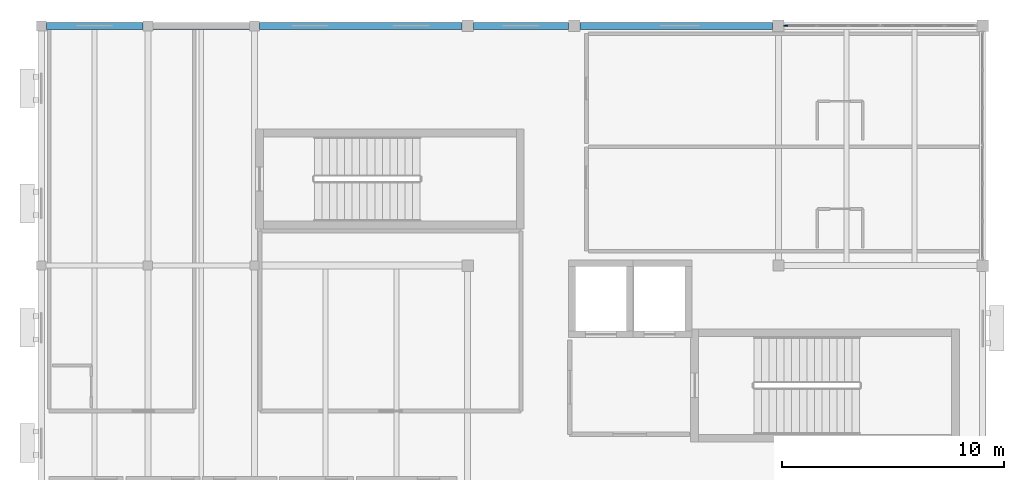
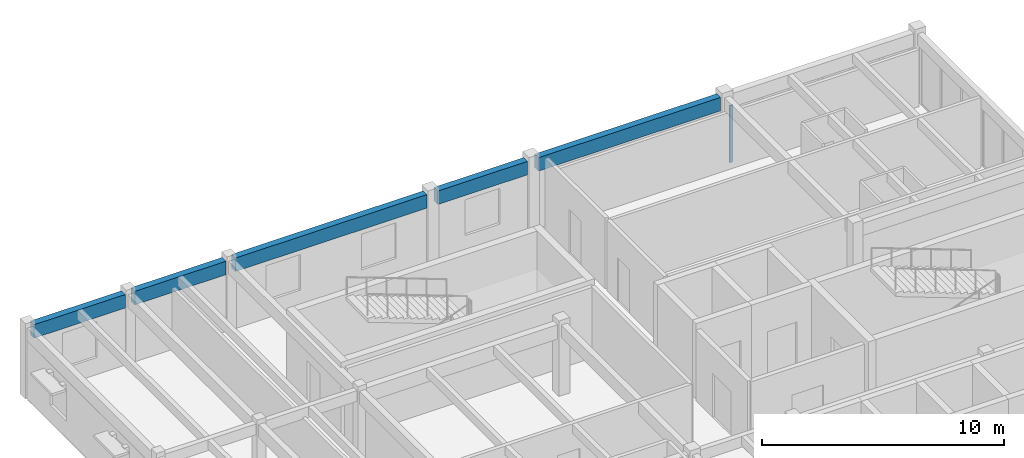
# One storey, part 4 of 20: 5 beams, 1 member, 1 element without a shape of its own.
"""IFC4 building model written with IfcOpenShell, lengths in metres."""

from ifc_helpers import new_model, si_unit, direction, frame, origin, origin_2d, place, context, subcontext, project, spatial, rectangle, extrude, material, material_profile, profile_set, type_object, element, aggregate, save


model = new_model("IFC4")

# Units and contexts
model_context = context("Model", 3, precision=1e-05, world=origin(), true_north=direction((0.0, 1.0)))
body_context = subcontext(model_context, "Body", "Model", "MODEL_VIEW")
ifc_project = project(units=[si_unit("LENGTHUNIT", "METRE"), si_unit("AREAUNIT", "SQUARE_METRE"), si_unit("VOLUMEUNIT", "CUBIC_METRE"), si_unit("PLANEANGLEUNIT", "RADIAN"), si_unit("MASSUNIT", "GRAM", prefix="KILO")], contexts=[model_context])

# Site, building, storey
site_placement = place(None, origin())
site = spatial("IfcSite", under=ifc_project, at=site_placement, CompositionType="ELEMENT")
building_placement = place(site_placement, origin())
building = spatial("IfcBuilding", under=site, at=building_placement, Name="Veldera Park Congress Hotel", CompositionType="ELEMENT")
storey_placement = place(building_placement, frame((0.0, 0.0, 27.60009765625)))
storey = spatial("IfcBuildingStorey", under=building, at=storey_placement, Name="L06", CompositionType="ELEMENT", Elevation=27.60009765625)

# Beams
ifc_material_1 = material(Name="Glulam GL28h (NDS 24F-V4)", Category="wood")
ifc_material_profile_1 = material_profile(ifc_material_1, rectangle(XDim=0.31494140625, YDim=0.679931640625, at=origin_2d()), Name="GL28h 315x680")
ifc_profile_set_1 = profile_set([ifc_material_profile_1], Name="Glulam GL28h (NDS 24F-V4)")
beam_type = type_object("IfcBeamType", Name="BM-GL640E", PredefinedType="BEAM", material=ifc_profile_set_1)
for number, where, z_axis, x_axis, name in (
    (1, (41.824951171875, 58.0, 3.21484375), (1.0, 0.0, 0.0), (0.0, 1.0, 0.0), "L06 Girder BM-GL640E 1549"),
    (2, (46.625, 58.0, 3.21484375), (1.0, 0.0, 0.0), (0.0, 1.0, 0.0), "L06 Girder BM-GL640E 1550"),
):
    element("IfcBeam", number, at=place(storey_placement, frame(where, z_axis=z_axis, x_axis=x_axis)), inside=storey, type_object=beam_type, Name=name, PredefinedType="BEAM", context=body_context, shape_type="SweptSolid", body=[
        extrude(rectangle(XDim=0.31494140625, YDim=0.679931640625, at=origin_2d()), origin(), (0.0, 0.0, 1.0), 4.35009765625),
    ])
beam_1_placement = place(storey_placement, frame((51.425048828125, 58.0, 3.21484375), z_axis=(1.0, 0.0, 0.0), x_axis=(0.0, 1.0, 0.0)))
element("IfcBeam", 3, at=beam_1_placement, inside=storey, type_object=beam_type, Name="L06 Girder BM-GL640E 1551", PredefinedType="BEAM", context=body_context, shape_type="SweptSolid", body=[
    extrude(rectangle(XDim=0.31494140625, YDim=0.679931640625, at=origin_2d()), origin(), (0.0, 0.0, 1.0), 9.114990234375),
])
beam_2_placement = place(storey_placement, frame((61.06005859375, 58.0, 3.21484375), z_axis=(1.0, 0.0, 0.0), x_axis=(0.0, 1.0, 0.0)))
element("IfcBeam", 4, at=beam_2_placement, inside=storey, type_object=beam_type, Name="L06 Girder BM-GL640E 1552", PredefinedType="BEAM", context=body_context, shape_type="SweptSolid", body=[
    extrude(rectangle(XDim=0.31494140625, YDim=0.679931640625, at=origin_2d()), origin(), (0.0, 0.0, 1.0), 4.280029296875),
])
beam_3_placement = place(storey_placement, frame((65.860107421875, 58.0, 3.21484375), z_axis=(1.0, 0.0, 0.0), x_axis=(0.0, 1.0, 0.0)))
element("IfcBeam", 5, at=beam_3_placement, inside=storey, type_object=beam_type, Name="L06 Girder BM-GL640E 1553", PredefinedType="BEAM", context=body_context, shape_type="SweptSolid", body=[
    extrude(rectangle(XDim=0.31494140625, YDim=0.679931640625, at=origin_2d()), origin(), (0.0, 0.0, 1.0), 8.679931640625),
])

# Curtain wall, member
ifc_material_2 = material(Name="Low-E Triple Insulating Glass Unit (SHGC 0.22)", Category="glass")
curtain_wall_type = type_object("IfcCurtainWallType", Name="CW-HTL", PredefinedType="NOTDEFINED", material=ifc_material_2)
curtain_wall_placement = place(storey_placement, origin())
curtain_wall = element("IfcCurtainWall", 6, at=curtain_wall_placement, inside=storey, type_object=curtain_wall_type, Name="L06 Curtain Wall CW3-HTLNN-L06-111", PredefinedType="NOTDEFINED")
ifc_material_3 = material(Name="Anodised Aluminium Alloy 6063-T6", Category="aluminium")
ifc_material_profile_2 = material_profile(ifc_material_3, rectangle(XDim=0.06005859375, YDim=0.159912109375, at=origin_2d()), Name="ALU 60x160")
ifc_profile_set_2 = profile_set([ifc_material_profile_2], Name="Anodised Aluminium Alloy 6063-T6")
member_type = type_object("IfcMemberType", Name="CWM-160", PredefinedType="MULLION", material=ifc_profile_set_2)
member_placement = place(storey_placement, frame((75.1298828125, 58.0, 0.0), z_axis=(0.0, 0.0, 1.0), x_axis=(0.0, -1.0, 0.0)))
member = element("IfcMember", 7, at=member_placement, type_object=member_type, Name="CW-HTL mullion 4", PredefinedType="MULLION", context=body_context, shape_type="SweptSolid", body=[
    extrude(rectangle(XDim=0.06005859375, YDim=0.159912109375, at=origin_2d()), origin(), (0.0, 0.0, 1.0), 2.869873046875),
])
aggregate(curtain_wall, [member])

save(model, "model.ifc")
